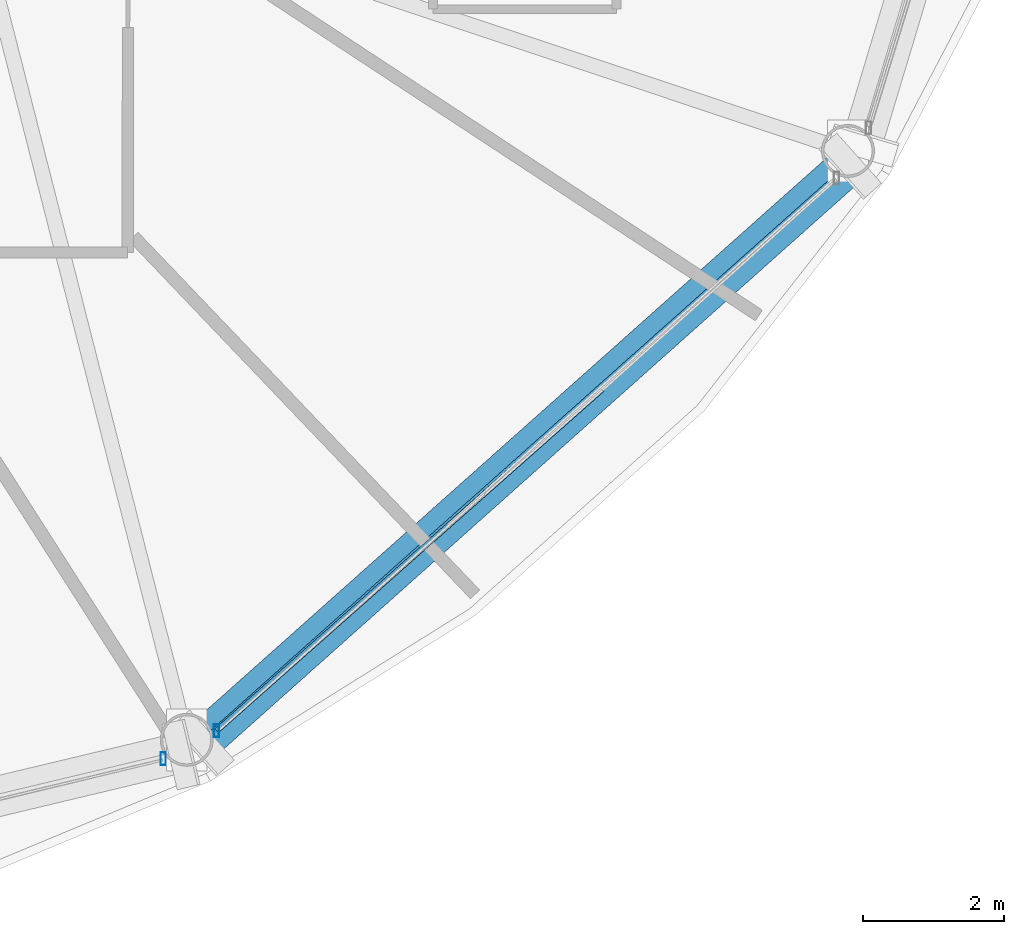
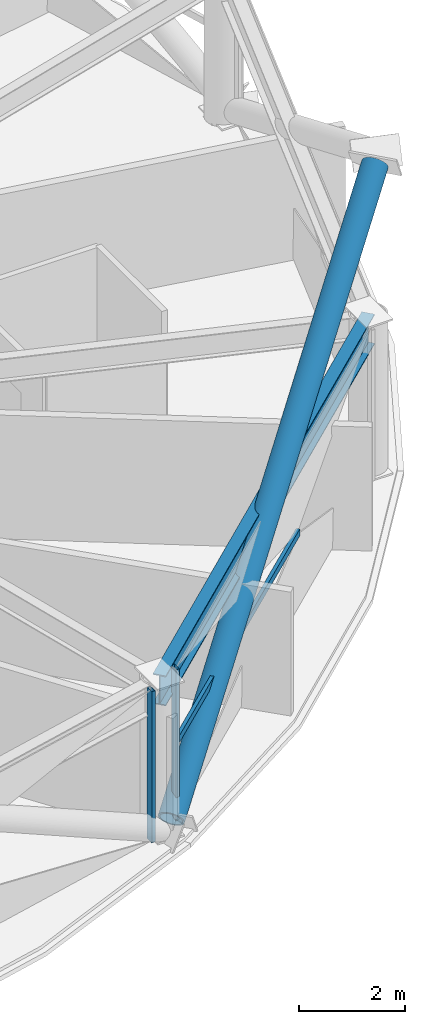
# One storey, part 8 of 32: 4 members, 1 beam, 2 elements without a shape of their own.
"""IFC4 building model written with IfcOpenShell, lengths in metres."""

from ifc_helpers import new_model, si_unit, direction, frame, origin, origin_2d, place, context, subcontext, project, spatial, hollow_rectangle, hollow_circle, i_section, extrude, material, layer, layer_set, material_profile, profile_set, type_object, element, aggregate, save


model = new_model("IFC4")

# Units and contexts
model_context = context("Model", 3, precision=1e-05, world=origin(), true_north=direction((0.0, 1.0)))
body_context = subcontext(model_context, "Body", "Model", "MODEL_VIEW")
ifc_project = project(units=[si_unit("LENGTHUNIT", "METRE"), si_unit("AREAUNIT", "SQUARE_METRE"), si_unit("VOLUMEUNIT", "CUBIC_METRE"), si_unit("PLANEANGLEUNIT", "RADIAN"), si_unit("MASSUNIT", "GRAM", prefix="KILO")], contexts=[model_context])

# Site, building, storey
site_placement = place(None, origin())
site = spatial("IfcSite", under=ifc_project, at=site_placement, CompositionType="ELEMENT")
building_placement = place(site_placement, origin())
building = spatial("IfcBuilding", under=site, at=building_placement, Name="Vantalir Tower", CompositionType="ELEMENT")
storey_placement = place(building_placement, frame((0.0, 0.0, 104.699951171875)))
storey = spatial("IfcBuildingStorey", under=building, at=storey_placement, Name="L25", CompositionType="ELEMENT", Elevation=104.699951171875)

# Beam
ifc_material_1 = material(Name="Steel S460", Category="steel")
ifc_material_profile_1 = material_profile(ifc_material_1, i_section(OverallWidth=0.256103515625, OverallDepth=0.693115234375, WebThickness=0.014404296875, FlangeThickness=0.023681640625, at=origin_2d()), Name="Steel S460")
ifc_profile_set_1 = profile_set([ifc_material_profile_1], Name="Steel S460")
beam_type = type_object("IfcBeamType", Name="BM-RG-686x254", PredefinedType="USERDEFINED", material=ifc_profile_set_1)
beam_placement = place(storey_placement, frame((44.2939453125, 5.264892578125, 3.22314453125), z_axis=(0.746784993974, 0.665065540211, 0.0), x_axis=(-0.665065540211, 0.746784993974, 0.0)))
element("IfcBeam", 1, at=beam_placement, inside=storey, type_object=beam_type, Name="L25 Circumferential Ring Girder 11", ObjectType="GIRDER", PredefinedType="USERDEFINED", context=body_context, shape_type="SweptSolid", body=[
    extrude(i_section(OverallWidth=0.256103515625, OverallDepth=0.693115234375, WebThickness=0.014404296875, FlangeThickness=0.023681640625, at=origin_2d()), origin(), (0.0, 0.0, 1.0), 12.541748046875),
])

# Curtain wall, member
ifc_material_2 = material(Name="Champagne-silver PVDF aluminium and double-silver Low-E glass", Category="aluminium")
ifc_layer = layer(ifc_material_2, 0.199951171875)
ifc_layer_set = layer_set([ifc_layer], Name="Champagne-silver PVDF aluminium and double-silver Low-E glass")
curtain_wall_type = type_object("IfcCurtainWallType", Name="CW-DIAMOND-Z2", PredefinedType="USERDEFINED", material=ifc_layer_set)
curtain_wall_1_placement = place(storey_placement, origin())
curtain_wall_1 = element("IfcCurtainWall", 2, at=curtain_wall_1_placement, inside=storey, type_object=curtain_wall_type, Name="L25 Quilted Pyramid-Diamond Curtain Wall S10", ObjectType="UNITISED CURTAIN WALL", PredefinedType="USERDEFINED")
ifc_material_3 = material(Name="Champagne-silver PVDF aluminium 6063-T6", Category="aluminium")
ifc_material_profile_2 = material_profile(ifc_material_3, hollow_rectangle(XDim=0.074951171875, YDim=0.179931640625, WallThickness=0.00390625, at=origin_2d()), Name="Champagne-silver PVDF aluminium 6063-T6")
ifc_profile_set_2 = profile_set([ifc_material_profile_2], Name="Champagne-silver PVDF aluminium 6063-T6")
member_type_1 = type_object("IfcMemberType", Name="CWM-180x75", PredefinedType="MULLION", material=ifc_profile_set_2)
member_1_placement = place(storey_placement, frame((43.9609375, 4.998046875, 0.045166015625), z_axis=(0.0, 0.0, 1.0), x_axis=(1.0, 0.0, 0.0)))
member_1 = element("IfcMember", 3, at=member_1_placement, type_object=member_type_1, Name="CW-L25-S10 Mullion 2", PredefinedType="MULLION", context=body_context, shape_type="SweptSolid", body=[
    extrude(hollow_rectangle(XDim=0.074951171875, YDim=0.179931640625, WallThickness=0.00390625, at=origin_2d()), origin(), (0.0, 0.0, 1.0), 3.47998046875),
])
aggregate(curtain_wall_1, [member_1])

# Curtain wall, members
curtain_wall_2_placement = place(storey_placement, origin())
curtain_wall_2 = element("IfcCurtainWall", 4, at=curtain_wall_2_placement, inside=storey, type_object=curtain_wall_type, Name="L25 Quilted Pyramid-Diamond Curtain Wall S11", ObjectType="UNITISED CURTAIN WALL", PredefinedType="USERDEFINED")
member_2_placement = place(storey_placement, frame((44.717041015625, 5.39306640625, 0.045166015625), z_axis=(0.0, 0.0, 1.0), x_axis=(1.0, 0.0, 0.0)))
member_2 = element("IfcMember", 5, at=member_2_placement, type_object=member_type_1, Name="CW-L25-S11 Mullion 1", PredefinedType="MULLION", context=body_context, shape_type="SweptSolid", body=[
    extrude(hollow_rectangle(XDim=0.074951171875, YDim=0.179931640625, WallThickness=0.00390625, at=origin_2d()), origin(), (0.0, 0.0, 1.0), 3.47998046875),
])
ifc_material_profile_3 = material_profile(ifc_material_3, hollow_rectangle(XDim=0.074951171875, YDim=0.159912109375, WallThickness=0.00390625, at=origin_2d()), Name="Champagne-silver PVDF aluminium 6063-T6")
ifc_profile_set_3 = profile_set([ifc_material_profile_3], Name="Champagne-silver PVDF aluminium 6063-T6")
member_type_2 = type_object("IfcMemberType", Name="CWT-160x75", PredefinedType="USERDEFINED", material=ifc_profile_set_3)
member_3_placement = place(storey_placement, frame((44.717041015625, 5.39306640625, 1.78515625), z_axis=(0.74864132719, 0.662975235754, 0.0), x_axis=(-0.662975235754, 0.74864132719, 0.0)))
member_3 = element("IfcMember", 6, at=member_3_placement, type_object=member_type_2, Name="CW-L25-S11 Pyramid Fold Ridge Transom", ObjectType="TRANSOM", PredefinedType="USERDEFINED", context=body_context, shape_type="SweptSolid", body=[
    extrude(hollow_rectangle(XDim=0.074951171875, YDim=0.159912109375, WallThickness=0.00390625, at=origin_2d()), origin(), (0.0, 0.0, 1.0), 7.295654296875),
])
aggregate(curtain_wall_2, [member_2, member_3])

# Member
ifc_material_profile_4 = material_profile(ifc_material_1, hollow_circle(Radius=0.260009765625, WallThickness=0.0380859375, at=origin_2d()), Name="Steel S460")
ifc_profile_set_4 = profile_set([ifc_material_profile_4], Name="Steel S460")
member_type_3 = type_object("IfcMemberType", Name="MEM-DB-520x38", PredefinedType="BRACE", material=ifc_profile_set_4)
member_4_placement = place(storey_placement, frame((44.531982421875, 5.22705078125, 0.18798828125), z_axis=(0.649432518737, 0.579019850657, 0.492923336992), x_axis=(-0.665484412794, 0.74641174718, 0.0)))
element("IfcMember", 7, at=member_4_placement, inside=storey, type_object=member_type_3, Name="L25 Perimeter S460 Diagrid Brace R31L", PredefinedType="BRACE", context=body_context, shape_type="SweptSolid", body=[
    extrude(hollow_circle(Radius=0.260009765625, WallThickness=0.0380859375, at=origin_2d()), origin(), (0.0, 0.0, 1.0), 14.087646484375),
])

save(model, "model.ifc")
